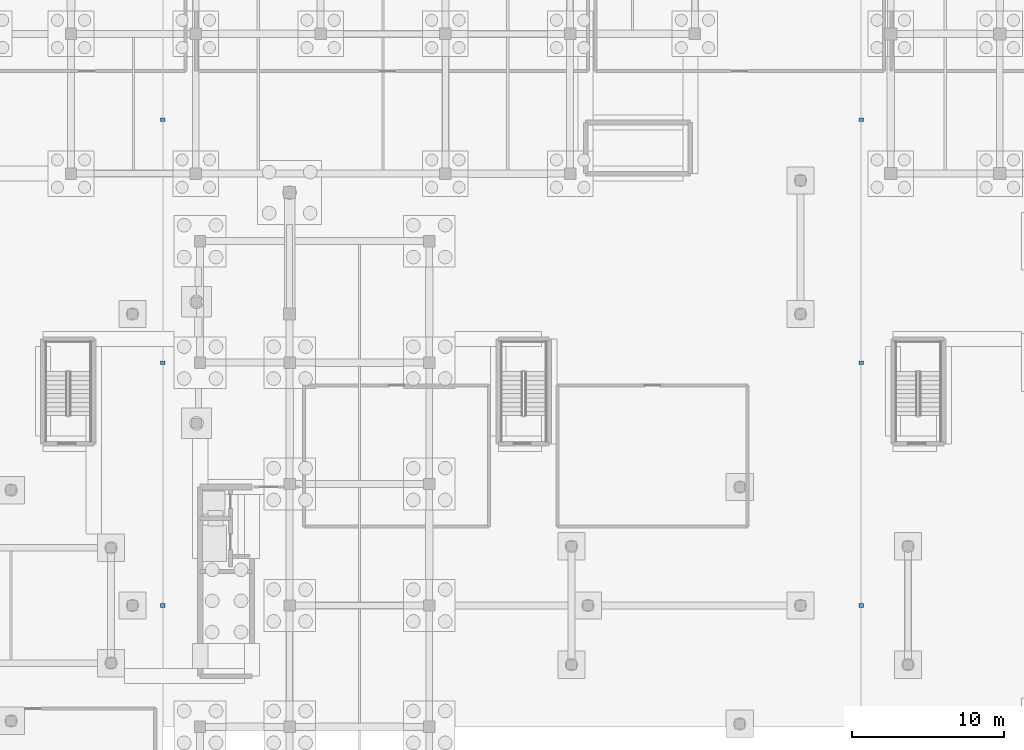
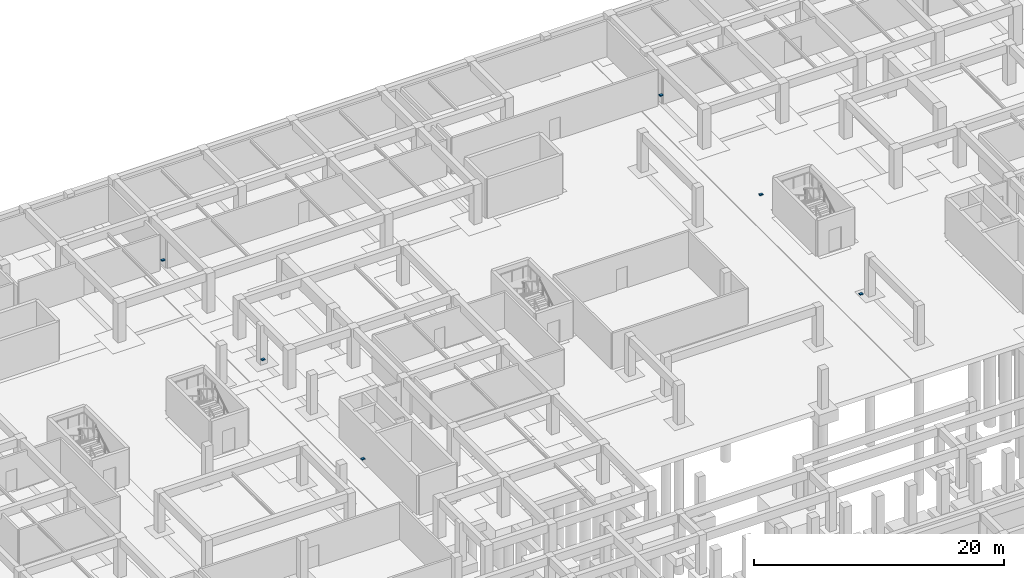
# One storey, part 29 of 35: 6 discrete accessories.
"""IFC4 building model written with IfcOpenShell, lengths in metres."""

from ifc_helpers import new_model, si_unit, direction, frame, origin, origin_2d, place, context, subcontext, project, spatial, rectangle, extrude, material, type_object, element, save


model = new_model("IFC4")

# Units and contexts
model_context = context("Model", 3, precision=1e-05, world=origin(), true_north=direction((0.0, 1.0)))
body_context = subcontext(model_context, "Body", "Model", "MODEL_VIEW")
ifc_project = project(units=[si_unit("LENGTHUNIT", "METRE"), si_unit("AREAUNIT", "SQUARE_METRE"), si_unit("VOLUMEUNIT", "CUBIC_METRE"), si_unit("PLANEANGLEUNIT", "RADIAN"), si_unit("MASSUNIT", "GRAM", prefix="KILO")], contexts=[model_context])

# Site, building, storey
site_placement = place(None, origin())
site = spatial("IfcSite", under=ifc_project, at=site_placement, CompositionType="ELEMENT")
building_placement = place(site_placement, origin())
building = spatial("IfcBuilding", under=site, at=building_placement, Name="Keldmere Railside Commons", CompositionType="ELEMENT")
storey_placement = place(building_placement, frame((0.0, 0.0, -3.840087890625)))
storey = spatial("IfcBuildingStorey", under=building, at=storey_placement, Name="B1", CompositionType="ELEMENT", Elevation=-3.840087890625)

# Discrete accessories
ifc_material = material(Name="Steel F-36 (S355)", Category="steel")
discrete_accessory_type = type_object("IfcDiscreteAccessoryType", Name="Unguided PTFE Elastomeric Movement-Joint Bearing", PredefinedType="BRACKET", material=ifc_material)
for number, where, z_axis, x_axis, name in (
    (1, (46.0, 72.0, 3.4599609375), (0.0, 0.0, 1.0), (1.0, 0.0, 0.0), "PTFE Sliding Bearing BRG-01"),
    (2, (46.0, 88.0, 3.4599609375), (0.0, 0.0, 1.0), (1.0, 0.0, 0.0), "PTFE Sliding Bearing BRG-02"),
    (3, (46.0, 104.0, 3.4599609375), (0.0, 0.0, 1.0), (1.0, 0.0, 0.0), "PTFE Sliding Bearing BRG-03"),
    (4, (92.0, 72.0, 3.4599609375), (0.0, 0.0, 1.0), (1.0, 0.0, 0.0), "PTFE Sliding Bearing BRG-04"),
    (5, (92.0, 88.0, 3.4599609375), (0.0, 0.0, 1.0), (1.0, 0.0, 0.0), "PTFE Sliding Bearing BRG-05"),
    (6, (92.0, 104.0, 3.4599609375), (0.0, 0.0, 1.0), (1.0, 0.0, 0.0), "PTFE Sliding Bearing BRG-06"),
):
    element("IfcDiscreteAccessory", number, at=place(storey_placement, frame(where, z_axis=z_axis, x_axis=x_axis)), inside=storey, type_object=discrete_accessory_type, Name=name, PredefinedType="BRACKET", context=body_context, shape_type="SweptSolid", body=[
        extrude(rectangle(XDim=0.300048828125, YDim=0.239990234375, at=origin_2d()), origin(), (0.0, 0.0, 1.0), 0.06005859375),
    ])

save(model, "model.ifc")
